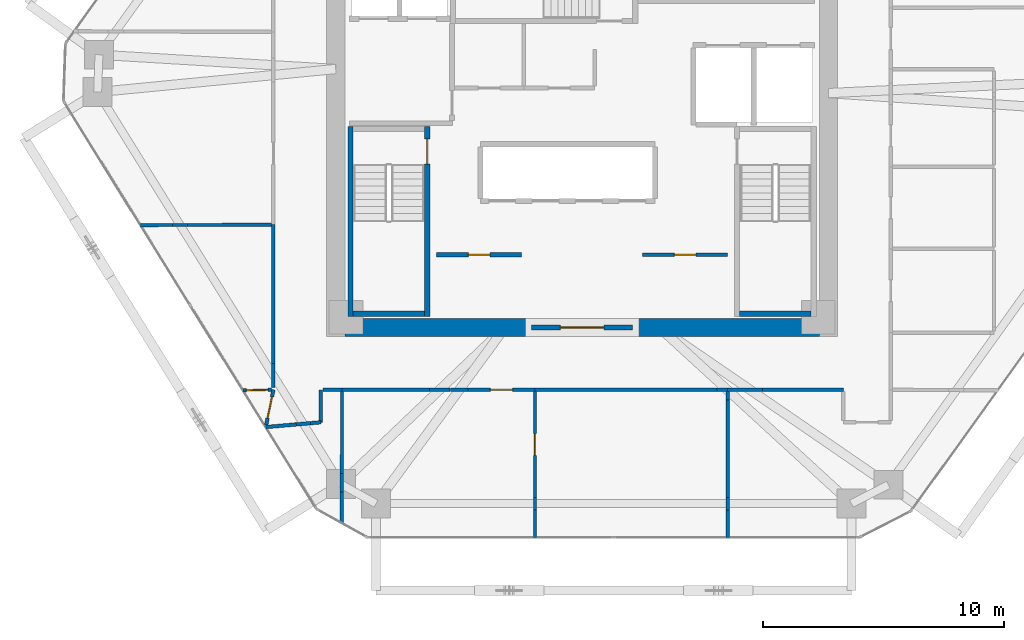
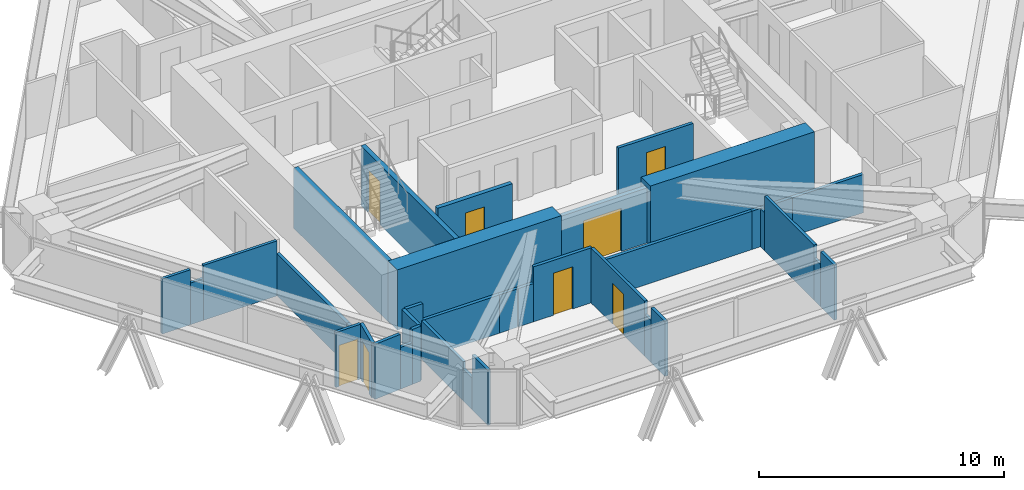
# One storey, part 12 of 17: 39 walls, 8 doors, 8 openings.
"""IFC4 building model written with IfcOpenShell, lengths in metres."""

from ifc_helpers import new_model, si_unit, direction, frame, frame_2d, origin, place, context, subcontext, project, spatial, rectangle, extrude, source, transform, mapped, material, layer, layer_set, type_object, type_shapes, element, fill, save


model = new_model("IFC4")

# Units and contexts
model_context = context("Model", 3, precision=1e-05, world=origin(), true_north=direction((0.0, 1.0)))
body_context = subcontext(model_context, "Body", "Model", "MODEL_VIEW")
ifc_project = project(units=[si_unit("LENGTHUNIT", "METRE"), si_unit("AREAUNIT", "SQUARE_METRE"), si_unit("VOLUMEUNIT", "CUBIC_METRE"), si_unit("PLANEANGLEUNIT", "RADIAN"), si_unit("MASSUNIT", "GRAM", prefix="KILO")], contexts=[model_context])

# Site, building, storey
site_placement = place(None, origin())
site = spatial("IfcSite", under=ifc_project, at=site_placement, CompositionType="ELEMENT")
building_placement = place(site_placement, origin())
building = spatial("IfcBuilding", under=site, at=building_placement, Name="Durnholm Broadcast Tower", CompositionType="ELEMENT")
storey_placement = place(building_placement, frame((0.0, 0.0, 143.10009765625)))
storey = spatial("IfcBuildingStorey", under=building, at=storey_placement, Name="L39", CompositionType="ELEMENT", Elevation=143.10009765625)

# Walls
ifc_material_1 = material(Name="Concrete C70/85", Category="concrete")
ifc_layer_1 = layer(ifc_material_1, 0.75)
ifc_layer_set_1 = layer_set([ifc_layer_1], Name="Concrete C70/85")
wall_type_1 = type_object("IfcWallType", Name="WALL-CW-750", PredefinedType="SHEAR", material=ifc_layer_set_1)
for number, where, z_axis, x_axis, name in (
    (1, (-9.85009765625, -8.22509765625, 0.0), (0.0, 0.0, 1.0), (1.0, 0.0, 0.0), "L39 central core shear wall CW-S1"),
    (2, (2.10009765625, -8.22509765625, 0.0), (0.0, 0.0, 1.0), (1.0, 0.0, 0.0), "L39 central core shear wall CW-S2"),
):
    element("IfcWall", number, at=place(storey_placement, frame(where, z_axis=z_axis, x_axis=x_axis)), inside=storey, type_object=wall_type_1, Name=name, PredefinedType="SHEAR", context=body_context, shape_type="SweptSolid", body=[
        extrude(rectangle(XDim=7.75, YDim=0.75, at=frame_2d((3.875, 0.0))), origin(), (0.0, 0.0, 1.0), 3.0),
    ])

# Wall, opening, door
ifc_material_2 = material(Name="Fire-Rated Gypsum Shaftwall", Category="concrete")
ifc_layer_2 = layer(ifc_material_2, 0.199951171875)
ifc_layer_set_2 = layer_set([ifc_layer_2], Name="Fire-Rated Gypsum Shaftwall")
wall_type_2 = type_object("IfcWallType", Name="WALL-LOB-200", PredefinedType="SOLIDWALL", material=ifc_layer_set_2)
wall_1_placement = place(storey_placement, frame((-2.10009765625, -8.22509765625, 0.0), z_axis=(0.0, 0.0, 1.0), x_axis=(1.0, 0.0, 0.0)))
wall_1 = element("IfcWall", 3, at=wall_1_placement, inside=storey, type_object=wall_type_2, Name="L39 south core lobby fire screen", PredefinedType="SOLIDWALL", context=body_context, shape_type="SweptSolid", body=[
    extrude(rectangle(XDim=4.2001953125, YDim=0.199951171875, at=frame_2d((2.10009765625, 0.0))), origin(), (0.0, 0.0, 1.0), 2.744873046875),
])
opening_1_placement = place(wall_1_placement, frame((1.199951171875, 0.0, 0.0)))
opening_1 = element("IfcOpeningElement", 4, at=opening_1_placement, cuts=wall_1, Name="Opening DP-60", PredefinedType="OPENING", context=body_context, shape_type="SweptSolid", body=[
    extrude(rectangle(XDim=1.800048828125, YDim=2.14990234375, at=frame_2d((0.89990234375, 1.074951171875))), frame((0.0, 0.10986328125, 0.0), z_axis=(0.0, -1.0, 0.0), x_axis=(1.0, 0.0, 0.0)), (0.0, 0.0, 1.0), 0.219970703125),
])
ifc_material_3 = material(Name="Fire-Rated Double Corridor Door", Category="steel")
ifc_layer_3 = layer(ifc_material_3, 0.050048828125)
ifc_layer_set_3 = layer_set([ifc_layer_3], Name="Fire-Rated Double Corridor Door")
door_type_1 = type_object("IfcDoorType", Name="DOOR-PAIR-FD60", OperationType="DOUBLE_DOOR_SINGLE_SWING", PredefinedType="DOOR", material=ifc_layer_set_3)
shared_shape_1 = source(origin(), body_context, "Body", "SweptSolid", [
    extrude(rectangle(XDim=1.800048828125, YDim=2.14990234375, at=frame_2d((0.89990234375, 1.074951171875))), frame((0.0, 0.02490234375, 0.0), z_axis=(0.0, -1.0, 0.0), x_axis=(1.0, 0.0, 0.0)), (0.0, 0.0, 1.0), 0.050048828125),
])
type_shapes(door_type_1, [shared_shape_1])
door_1_placement = place(opening_1_placement, origin())
door_1 = element("IfcDoor", 5, at=door_1_placement, inside=storey, type_object=door_type_1, Name="L39 south core lobby double fire door", OperationType="DOUBLE_DOOR_SINGLE_SWING", OverallHeight=2.14990234375, OverallWidth=1.800048828125, PredefinedType="DOOR", context=body_context, shape_type="MappedRepresentation", body=[
    mapped(shared_shape_1, transform((0.0, 0.0, 0.0), x_axis=(1.0, 0.0, 0.0), y_axis=(0.0, 1.0, 0.0), z_axis=(0.0, 0.0, 1.0), scale=1.0)),
])
fill(opening_1, door_1)

wall_2_placement = place(storey_placement, frame((-6.0400390625, -5.2099609375, 0.0), z_axis=(0.0, 0.0, 1.0), x_axis=(1.0, 0.0, 0.0)))
wall_2 = element("IfcWall", 6, at=wall_2_placement, inside=storey, type_object=wall_type_2, Name="L39 Broadcast Signal Rack Room corridor partition", PredefinedType="SOLIDWALL", context=body_context, shape_type="SweptSolid", body=[
    extrude(rectangle(XDim=3.530029296875, YDim=0.199951171875, at=frame_2d((1.76513671875, 0.0))), origin(), (0.0, 0.0, 1.0), 2.744873046875),
])
opening_2_placement = place(wall_2_placement, frame((1.31494140625, 0.0, 0.0)))
opening_2 = element("IfcOpeningElement", 7, at=opening_2_placement, cuts=wall_2, Name="Opening DC-60R", PredefinedType="OPENING", context=body_context, shape_type="SweptSolid", body=[
    extrude(rectangle(XDim=0.89990234375, YDim=2.050048828125, at=frame_2d((0.449951171875, 1.02490234375))), frame((0.0, 0.10986328125, 0.0), z_axis=(0.0, -1.0, 0.0), x_axis=(1.0, 0.0, 0.0)), (0.0, 0.0, 1.0), 0.219970703125),
])
ifc_material_4 = material(Name="Fire-Rated Core Service Door", Category="steel")
ifc_layer_4 = layer(ifc_material_4, 0.050048828125)
ifc_layer_set_4 = layer_set([ifc_layer_4], Name="Fire-Rated Core Service Door")
door_type_2 = type_object("IfcDoorType", Name="DOOR-CORE-FD60-R", OperationType="NOTDEFINED", PredefinedType="DOOR", material=ifc_layer_set_4)
shared_shape_2 = source(origin(), body_context, "Body", "SweptSolid", [
    extrude(rectangle(XDim=0.89990234375, YDim=2.050048828125, at=frame_2d((0.449951171875, 1.02490234375))), frame((0.0, 0.02490234375, 0.0), z_axis=(0.0, -1.0, 0.0), x_axis=(1.0, 0.0, 0.0)), (0.0, 0.0, 1.0), 0.050048828125),
])
type_shapes(door_type_2, [shared_shape_2])
door_2_placement = place(opening_2_placement, origin())
door_2 = element("IfcDoor", 8, at=door_2_placement, inside=storey, type_object=door_type_2, Name="L39 Broadcast Signal Rack Room entrance door", OperationType="SINGLE_SWING_RIGHT", OverallHeight=2.050048828125, OverallWidth=0.89990234375, PredefinedType="DOOR", context=body_context, shape_type="MappedRepresentation", body=[
    mapped(shared_shape_2, transform((0.0, 0.0, 0.0), x_axis=(1.0, 0.0, 0.0), y_axis=(0.0, 1.0, 0.0), z_axis=(0.0, 0.0, 1.0), scale=1.0)),
])
fill(opening_2, door_2)

# Walls
ifc_material_5 = material(Name="Gypsum Metal Stud Partition", Category="concrete")
ifc_layer_5 = layer(ifc_material_5, 0.135009765625)
ifc_layer_set_5 = layer_set([ifc_layer_5], Name="Gypsum Metal Stud Partition")
wall_type_3 = type_object("IfcWallType", Name="WALL-PART-135", PredefinedType="PARTITIONING", material=ifc_layer_set_5)
wall_3_placement = place(storey_placement, frame((-9.960205078125, -10.888916015625, 0.0), z_axis=(0.0, 0.0, 1.0), x_axis=(-0.003528457908, -0.999993774973, 0.0)))
element("IfcWall", 9, at=wall_3_placement, inside=storey, type_object=wall_type_3, Name="L39 room dividing partition 12.13", PredefinedType="PARTITIONING", context=body_context, shape_type="SweptSolid", body=[
    extrude(rectangle(XDim=3.390380859375, YDim=0.135009765625, at=frame_2d((1.6953125, 0.0))), origin(), (0.0, 0.0, 1.0), 1.912109375),
])
wall_4_placement = place(storey_placement, frame((-9.974853515625, -15.0478515625, 0.0), z_axis=(0.0, 0.0, 1.0), x_axis=(-0.003576784349, -0.999993603286, 0.0)))
element("IfcWall", 10, at=wall_4_placement, inside=storey, type_object=wall_type_3, Name="L39 room dividing partition 12.13", PredefinedType="PARTITIONING", context=body_context, shape_type="SweptSolid", body=[
    extrude(rectangle(XDim=1.296875, YDim=0.135009765625, at=frame_2d((0.6484375, 0.0))), origin(), (0.0, 0.0, 1.0), 2.744873046875),
])
wall_5_placement = place(storey_placement, frame((-9.97216796875, -14.279296875, 0.0), z_axis=(0.0, 0.0, 1.0), x_axis=(-0.003494260751, -0.999993895052, 0.0)))
element("IfcWall", 11, at=wall_5_placement, inside=storey, type_object=wall_type_3, Name="L39 room dividing partition 12.13", PredefinedType="PARTITIONING", context=body_context, shape_type="SweptSolid", body=[
    extrude(rectangle(XDim=0.7685546875, YDim=0.135009765625, at=frame_2d((0.38427734375, 0.0))), origin(), (0.0, 0.0, 1.0), 1.576904296875),
])

# Wall, opening, door
wall_6_placement = place(storey_placement, frame((-14.075927734375, -10.8310546875, 0.0), z_axis=(0.0, 0.0, 1.0), x_axis=(0.999860796611, 0.016684945308, 0.0)))
wall_6 = element("IfcWall", 12, at=wall_6_placement, inside=storey, type_object=wall_type_3, Name="L39 room dividing partition 12.16", PredefinedType="PARTITIONING", context=body_context, shape_type="SweptSolid", body=[
    extrude(rectangle(XDim=1.185302734375, YDim=0.135009765625, at=frame_2d((0.5927734375, 0.0))), origin(), (0.0, 0.0, 1.0), 2.744873046875),
])
opening_3_placement = place(wall_6_placement, frame((0.142578125, 0.0, 0.0)))
opening_3 = element("IfcOpeningElement", 13, at=opening_3_placement, cuts=wall_6, Name="Opening DW-90L", PredefinedType="OPENING", context=body_context, shape_type="SweptSolid", body=[
    extrude(rectangle(XDim=0.89990234375, YDim=2.050048828125, at=frame_2d((0.449951171875, 1.02490234375))), frame((0.0, 0.07763671875, 0.0), z_axis=(0.0, -1.0, 0.0), x_axis=(1.0, 0.0, 0.0)), (0.0, 0.0, 1.0), 0.155029296875),
])
ifc_material_6 = material(Name="Laminate Restroom Door", Category="steel")
ifc_layer_6 = layer(ifc_material_6, 0.050048828125)
ifc_layer_set_6 = layer_set([ifc_layer_6], Name="Laminate Restroom Door")
door_type_3 = type_object("IfcDoorType", Name="DOOR-WC-900L", OperationType="NOTDEFINED", PredefinedType="DOOR", material=ifc_layer_set_6)
shared_shape_3 = source(origin(), body_context, "Body", "SweptSolid", [
    extrude(rectangle(XDim=0.89990234375, YDim=2.050048828125, at=frame_2d((0.449951171875, 1.02490234375))), frame((0.0, 0.02490234375, 0.0), z_axis=(0.0, -1.0, 0.0), x_axis=(1.0, 0.0, 0.0)), (0.0, 0.0, 1.0), 0.050048828125),
])
type_shapes(door_type_3, [shared_shape_3])
door_3_placement = place(opening_3_placement, origin())
door_3 = element("IfcDoor", 14, at=door_3_placement, inside=storey, type_object=door_type_3, Name="L39 Compliance Office 1 connecting door", OperationType="SINGLE_SWING_LEFT", OverallHeight=2.050048828125, OverallWidth=0.89990234375, PredefinedType="DOOR", context=body_context, shape_type="MappedRepresentation", body=[
    mapped(shared_shape_3, transform((0.0, 0.0, 0.0), x_axis=(1.0, 0.0, 0.0), y_axis=(0.0, 1.0, 0.0), z_axis=(0.0, 0.0, 1.0), scale=1.0)),
])
fill(opening_3, door_3)

wall_7_placement = place(storey_placement, frame((-1.9599609375, -10.888916015625, 0.0), z_axis=(0.0, 0.0, 1.0), x_axis=(0.0, -1.0, 0.0)))
wall_7 = element("IfcWall", 15, at=wall_7_placement, inside=storey, type_object=wall_type_3, Name="L39 room dividing partition 13.14", PredefinedType="PARTITIONING", context=body_context, shape_type="SweptSolid", body=[
    extrude(rectangle(XDim=4.383544921875, YDim=0.135009765625, at=frame_2d((2.19189453125, 0.0))), origin(), (0.0, 0.0, 1.0), 2.744873046875),
])
opening_4_placement = place(wall_7_placement, frame((1.74169921875, 0.0, 0.0)))
opening_4 = element("IfcOpeningElement", 16, at=opening_4_placement, cuts=wall_7, Name="Opening DW-90L", PredefinedType="OPENING", context=body_context, shape_type="SweptSolid", body=[
    extrude(rectangle(XDim=0.89990234375, YDim=2.050048828125, at=frame_2d((0.449951171875, 1.02490234375))), frame((0.0, 0.07763671875, 0.0), z_axis=(0.0, -1.0, 0.0), x_axis=(1.0, 0.0, 0.0)), (0.0, 0.0, 1.0), 0.155029296875),
])
door_4_placement = place(opening_4_placement, origin())
door_4 = element("IfcDoor", 17, at=door_4_placement, inside=storey, type_object=door_type_3, Name="L39 Regulatory Office connecting door", OperationType="SINGLE_SWING_LEFT", OverallHeight=2.050048828125, OverallWidth=0.89990234375, PredefinedType="DOOR", context=body_context, shape_type="MappedRepresentation", body=[
    mapped(shared_shape_3, transform((0.0, 0.0, 0.0), x_axis=(1.0, 0.0, 0.0), y_axis=(0.0, 1.0, 0.0), z_axis=(0.0, 0.0, 1.0), scale=1.0)),
])
fill(opening_4, door_4)

# Walls
wall_8_placement = place(storey_placement, frame((-1.9599609375, -15.801513671875, 0.0), z_axis=(0.0, 0.0, 1.0), x_axis=(0.0, -1.0, 0.0)))
element("IfcWall", 18, at=wall_8_placement, inside=storey, type_object=wall_type_3, Name="L39 room dividing partition 13.14", PredefinedType="PARTITIONING", context=body_context, shape_type="SweptSolid", body=[
    extrude(rectangle(XDim=1.135498046875, YDim=0.135009765625, at=frame_2d((0.56787109375, 0.0))), origin(), (0.0, 0.0, 1.0), 2.744873046875),
])
wall_9_placement = place(storey_placement, frame((-1.9599609375, -15.2724609375, 0.0), z_axis=(0.0, 0.0, 1.0), x_axis=(0.0, -1.0, 0.0)))
element("IfcWall", 19, at=wall_9_placement, inside=storey, type_object=wall_type_3, Name="L39 room dividing partition 13.14", PredefinedType="PARTITIONING", context=body_context, shape_type="SweptSolid", body=[
    extrude(rectangle(XDim=0.529052734375, YDim=0.135009765625, at=frame_2d((0.2646484375, 0.0))), origin(), (0.0, 0.0, 1.0), 2.079833984375),
])
wall_10_placement = place(storey_placement, frame((6.0400390625, -11.225341796875, 0.0), z_axis=(0.0, 0.0, 1.0), x_axis=(0.0, -1.0, 0.0)))
element("IfcWall", 20, at=wall_10_placement, inside=storey, type_object=wall_type_3, Name="L39 room dividing partition 14.15", PredefinedType="PARTITIONING", context=body_context, shape_type="SweptSolid", body=[
    extrude(rectangle(XDim=4.047119140625, YDim=0.135009765625, at=frame_2d((2.0234375, 0.0))), origin(), (0.0, 0.0, 1.0), 2.744873046875),
])
wall_11_placement = place(storey_placement, frame((6.0400390625, -15.801513671875, 0.0), z_axis=(0.0, 0.0, 1.0), x_axis=(0.0, -1.0, 0.0)))
element("IfcWall", 21, at=wall_11_placement, inside=storey, type_object=wall_type_3, Name="L39 room dividing partition 14.15", PredefinedType="PARTITIONING", context=body_context, shape_type="SweptSolid", body=[
    extrude(rectangle(XDim=1.135498046875, YDim=0.135009765625, at=frame_2d((0.56787109375, 0.0))), origin(), (0.0, 0.0, 1.0), 2.744873046875),
])
wall_12_placement = place(storey_placement, frame((6.0400390625, -10.888916015625, 0.0), z_axis=(0.0, 0.0, 1.0), x_axis=(0.0, -1.0, 0.0)))
element("IfcWall", 22, at=wall_12_placement, inside=storey, type_object=wall_type_3, Name="L39 room dividing partition 14.15", PredefinedType="PARTITIONING", context=body_context, shape_type="SweptSolid", body=[
    extrude(rectangle(XDim=0.33642578125, YDim=0.135009765625, at=frame_2d((0.168212890625, 0.0))), origin(), (0.0, 0.0, 1.0), 1.912109375),
])
wall_13_placement = place(storey_placement, frame((6.0400390625, -15.2724609375, 0.0), z_axis=(0.0, 0.0, 1.0), x_axis=(0.0, -1.0, 0.0)))
element("IfcWall", 23, at=wall_13_placement, inside=storey, type_object=wall_type_3, Name="L39 room dividing partition 14.15", PredefinedType="PARTITIONING", context=body_context, shape_type="SweptSolid", body=[
    extrude(rectangle(XDim=0.529052734375, YDim=0.135009765625, at=frame_2d((0.2646484375, 0.0))), origin(), (0.0, 0.0, 1.0), 2.079833984375),
])
wall_14_placement = place(storey_placement, frame((-18.32470703125, -3.981201171875, 0.0), z_axis=(0.0, 0.0, 1.0), x_axis=(0.999992603632, 0.003846125399, 0.0)))
element("IfcWall", 24, at=wall_14_placement, inside=storey, type_object=wall_type_3, Name="L39 room dividing partition 16.17", PredefinedType="PARTITIONING", context=body_context, shape_type="SweptSolid", body=[
    extrude(rectangle(XDim=1.3330078125, YDim=0.135009765625, at=frame_2d((0.66650390625, 0.0))), origin(), (0.0, 0.0, 1.0), 2.744873046875),
])
wall_15_placement = place(storey_placement, frame((-16.37060546875, -3.9736328125, 0.0), z_axis=(0.0, 0.0, 1.0), x_axis=(0.999992563123, 0.003856643361, 0.0)))
element("IfcWall", 25, at=wall_15_placement, inside=storey, type_object=wall_type_3, Name="L39 room dividing partition 16.17", PredefinedType="PARTITIONING", context=body_context, shape_type="SweptSolid", body=[
    extrude(rectangle(XDim=3.481689453125, YDim=0.135009765625, at=frame_2d((1.74072265625, 0.0))), origin(), (0.0, 0.0, 1.0), 2.744873046875),
])
wall_16_placement = place(storey_placement, frame((-16.99169921875, -3.97607421875, 0.0), z_axis=(0.0, 0.0, 1.0), x_axis=(0.999992274426, 0.003930787242, 0.0)))
element("IfcWall", 26, at=wall_16_placement, inside=storey, type_object=wall_type_3, Name="L39 room dividing partition 16.17", PredefinedType="PARTITIONING", context=body_context, shape_type="SweptSolid", body=[
    extrude(rectangle(XDim=0.62109375, YDim=0.135009765625, at=frame_2d((0.310546875, 0.0))), origin(), (0.0, 0.0, 1.0), 2.079833984375),
])

# Wall, opening, door
ifc_material_7 = material(Name="Acoustic Gypsum Stud Partition", Category="concrete")
ifc_layer_7 = layer(ifc_material_7, 0.14990234375)
ifc_layer_set_7 = layer_set([ifc_layer_7], Name="Acoustic Gypsum Stud Partition")
wall_type_4 = type_object("IfcWallType", Name="WALL-PART-150", PredefinedType="PARTITIONING", material=ifc_layer_set_7)
wall_17_placement = place(storey_placement, frame((2.510009765625, -5.2099609375, 0.0), z_axis=(0.0, 0.0, 1.0), x_axis=(1.0, 0.0, 0.0)))
wall_17 = element("IfcWall", 27, at=wall_17_placement, inside=storey, type_object=wall_type_4, Name="L39 Editorial Beverage Pantry corridor partition", PredefinedType="PARTITIONING", context=body_context, shape_type="SweptSolid", body=[
    extrude(rectangle(XDim=3.530029296875, YDim=0.14990234375, at=frame_2d((1.76513671875, 0.0))), origin(), (0.0, 0.0, 1.0), 2.744873046875),
])
opening_5_placement = place(wall_17_placement, frame((1.31494140625, 0.0, 0.0)))
opening_5 = element("IfcOpeningElement", 28, at=opening_5_placement, cuts=wall_17, Name="Opening DC-60L", PredefinedType="OPENING", context=body_context, shape_type="SweptSolid", body=[
    extrude(rectangle(XDim=0.89990234375, YDim=2.050048828125, at=frame_2d((0.449951171875, 1.02490234375))), frame((0.0, 0.0849609375, 0.0), z_axis=(0.0, -1.0, 0.0), x_axis=(1.0, 0.0, 0.0)), (0.0, 0.0, 1.0), 0.169921875),
])
ifc_layer_8 = layer(ifc_material_4, 0.050048828125)
ifc_layer_set_8 = layer_set([ifc_layer_8], Name="Fire-Rated Core Service Door")
door_type_4 = type_object("IfcDoorType", Name="DOOR-CORE-FD60-L", OperationType="NOTDEFINED", PredefinedType="DOOR", material=ifc_layer_set_8)
shared_shape_4 = source(origin(), body_context, "Body", "SweptSolid", [
    extrude(rectangle(XDim=0.89990234375, YDim=2.050048828125, at=frame_2d((0.449951171875, 1.02490234375))), frame((0.0, 0.02490234375, 0.0), z_axis=(0.0, -1.0, 0.0), x_axis=(1.0, 0.0, 0.0)), (0.0, 0.0, 1.0), 0.050048828125),
])
type_shapes(door_type_4, [shared_shape_4])
door_5_placement = place(opening_5_placement, origin())
door_5 = element("IfcDoor", 29, at=door_5_placement, inside=storey, type_object=door_type_4, Name="L39 Editorial Beverage Pantry entrance door", OperationType="SINGLE_SWING_LEFT", OverallHeight=2.050048828125, OverallWidth=0.89990234375, PredefinedType="DOOR", context=body_context, shape_type="MappedRepresentation", body=[
    mapped(shared_shape_4, transform((0.0, 0.0, 0.0), x_axis=(1.0, 0.0, 0.0), y_axis=(0.0, 1.0, 0.0), z_axis=(0.0, 0.0, 1.0), scale=1.0)),
])
fill(opening_5, door_5)

# Walls
wall_18_placement = place(storey_placement, frame((-13.12890625, -12.35791015625, 0.0), z_axis=(0.0, 0.0, 1.0), x_axis=(0.996285787619, 0.086108242279, 0.0)))
element("IfcWall", 30, at=wall_18_placement, inside=storey, type_object=wall_type_4, Name="L39 IP Counsel Office corridor partition", PredefinedType="PARTITIONING", context=body_context, shape_type="SweptSolid", body=[
    extrude(rectangle(XDim=1.27294921875, YDim=0.14990234375, at=frame_2d((0.636474609375, 0.0))), origin(), (0.0, 0.0, 1.0), 2.744873046875),
])
wall_19_placement = place(storey_placement, frame((-11.269775390625, -12.197021484375, 0.0), z_axis=(0.0, 0.0, 1.0), x_axis=(0.996291394281, 0.086043347688, 0.0)))
element("IfcWall", 31, at=wall_19_placement, inside=storey, type_object=wall_type_4, Name="L39 IP Counsel Office corridor partition", PredefinedType="PARTITIONING", context=body_context, shape_type="SweptSolid", body=[
    extrude(rectangle(XDim=0.431396484375, YDim=0.14990234375, at=frame_2d((0.2158203125, 0.0))), origin(), (0.0, 0.0, 1.0), 2.744873046875),
])
wall_20_placement = place(storey_placement, frame((-11.860595703125, -12.248291015625, 0.0), z_axis=(0.0, 0.0, 1.0), x_axis=(0.996256019863, 0.086451968666, 0.0)))
element("IfcWall", 32, at=wall_20_placement, inside=storey, type_object=wall_type_4, Name="L39 IP Counsel Office corridor partition", PredefinedType="PARTITIONING", context=body_context, shape_type="SweptSolid", body=[
    extrude(rectangle(XDim=0.593017578125, YDim=0.14990234375, at=frame_2d((0.29638671875, 0.0))), origin(), (0.0, 0.0, 1.0), 2.079833984375),
])

# Wall, opening, door
wall_21_placement = place(storey_placement, frame((-12.81005859375, -10.81005859375, 0.0), z_axis=(0.0, 0.0, 1.0), x_axis=(-0.201786289638, -0.979429575474, 0.0)))
wall_21 = element("IfcWall", 33, at=wall_21_placement, inside=storey, type_object=wall_type_4, Name="L39 IP Counsel Office corridor partition", PredefinedType="PARTITIONING", context=body_context, shape_type="SweptSolid", body=[
    extrude(rectangle(XDim=1.497802734375, YDim=0.14990234375, at=frame_2d((0.7490234375, 0.0))), origin(), (0.0, 0.0, 1.0), 2.744873046875),
])
opening_6_placement = place(wall_21_placement, frame((0.299072265625, 0.0, 0.0)))
opening_6 = element("IfcOpeningElement", 34, at=opening_6_placement, cuts=wall_21, Name="Opening DW-90L", PredefinedType="OPENING", context=body_context, shape_type="SweptSolid", body=[
    extrude(rectangle(XDim=0.89990234375, YDim=2.050048828125, at=frame_2d((0.449951171875, 1.02490234375))), frame((0.0, 0.0849609375, 0.0), z_axis=(0.0, -1.0, 0.0), x_axis=(1.0, 0.0, 0.0)), (0.0, 0.0, 1.0), 0.169921875),
])
door_6_placement = place(opening_6_placement, origin())
door_6 = element("IfcDoor", 35, at=door_6_placement, inside=storey, type_object=door_type_3, Name="L39 IP Counsel Office entrance door", OperationType="SINGLE_SWING_LEFT", OverallHeight=2.050048828125, OverallWidth=0.89990234375, PredefinedType="DOOR", context=body_context, shape_type="MappedRepresentation", body=[
    mapped(shared_shape_3, transform((0.0, 0.0, 0.0), x_axis=(1.0, 0.0, 0.0), y_axis=(0.0, 1.0, 0.0), z_axis=(0.0, 0.0, 1.0), scale=1.0)),
])
fill(opening_6, door_6)

# Walls
wall_22_placement = place(storey_placement, frame((-10.840087890625, -12.159912109375, 0.0), z_axis=(0.0, 0.0, 1.0), x_axis=(0.0, 1.0, 0.0)))
element("IfcWall", 36, at=wall_22_placement, inside=storey, type_object=wall_type_4, Name="L39 IP Counsel Office corridor partition", PredefinedType="PARTITIONING", context=body_context, shape_type="SweptSolid", body=[
    extrude(rectangle(XDim=1.349853515625, YDim=0.14990234375, at=frame_2d((0.6748046875, 0.0))), origin(), (0.0, 0.0, 1.0), 2.744873046875),
])
wall_23_placement = place(storey_placement, frame((-10.760986328125, -10.81005859375, 0.0), z_axis=(0.0, 0.0, 1.0), x_axis=(1.0, 0.0, 0.0)))
element("IfcWall", 37, at=wall_23_placement, inside=storey, type_object=wall_type_4, Name="L39 IP Counsel Office corridor partition", PredefinedType="PARTITIONING", context=body_context, shape_type="SweptSolid", body=[
    extrude(rectangle(XDim=0.801025390625, YDim=0.14990234375, at=frame_2d((0.400390625, 0.0))), origin(), (0.0, 0.0, 1.0), 2.744873046875),
])
wall_24_placement = place(storey_placement, frame((-9.9599609375, -10.81005859375, 0.0), z_axis=(0.0, 0.0, 1.0), x_axis=(1.0, 0.0, 0.0)))
element("IfcWall", 38, at=wall_24_placement, inside=storey, type_object=wall_type_4, Name="L39 Deposition Meeting Room corridor partition", PredefinedType="PARTITIONING", context=body_context, shape_type="SweptSolid", body=[
    extrude(rectangle(XDim=3.62548828125, YDim=0.14990234375, at=frame_2d((1.812744140625, 0.0))), origin(), (0.0, 0.0, 1.0), 1.912109375),
])

# Wall, opening, door
wall_25_placement = place(storey_placement, frame((-4.7294921875, -10.81005859375, 0.0), z_axis=(0.0, 0.0, 1.0), x_axis=(1.0, 0.0, 0.0)))
wall_25 = element("IfcWall", 39, at=wall_25_placement, inside=storey, type_object=wall_type_4, Name="L39 Deposition Meeting Room corridor partition", PredefinedType="PARTITIONING", context=body_context, shape_type="SweptSolid", body=[
    extrude(rectangle(XDim=2.76953125, YDim=0.14990234375, at=frame_2d((1.384765625, 0.0))), origin(), (0.0, 0.0, 1.0), 2.744873046875),
])
opening_7_placement = place(wall_25_placement, frame((0.9248046875, 0.0, 0.0)))
opening_7 = element("IfcOpeningElement", 40, at=opening_7_placement, cuts=wall_25, Name="Opening DR-92R", PredefinedType="OPENING", context=body_context, shape_type="SweptSolid", body=[
    extrude(rectangle(XDim=0.919921875, YDim=2.10009765625, at=frame_2d((0.4599609375, 1.050048828125))), frame((0.0, 0.0849609375, 0.0), z_axis=(0.0, -1.0, 0.0), x_axis=(1.0, 0.0, 0.0)), (0.0, 0.0, 1.0), 0.169921875),
])
ifc_material_8 = material(Name="Oak Veneer Office Door", Category="wood")
ifc_layer_9 = layer(ifc_material_8, 0.050048828125)
ifc_layer_set_9 = layer_set([ifc_layer_9], Name="Oak Veneer Office Door")
door_type_5 = type_object("IfcDoorType", Name="DOOR-RM-920R", OperationType="NOTDEFINED", PredefinedType="DOOR", material=ifc_layer_set_9)
shared_shape_5 = source(origin(), body_context, "Body", "SweptSolid", [
    extrude(rectangle(XDim=0.919921875, YDim=2.10009765625, at=frame_2d((0.4599609375, 1.050048828125))), frame((0.0, 0.02490234375, 0.0), z_axis=(0.0, -1.0, 0.0), x_axis=(1.0, 0.0, 0.0)), (0.0, 0.0, 1.0), 0.050048828125),
])
type_shapes(door_type_5, [shared_shape_5])
door_7_placement = place(opening_7_placement, origin())
door_7 = element("IfcDoor", 41, at=door_7_placement, inside=storey, type_object=door_type_5, Name="L39 Deposition Meeting Room entrance door", OperationType="SINGLE_SWING_RIGHT", OverallHeight=2.10009765625, OverallWidth=0.919921875, PredefinedType="DOOR", context=body_context, shape_type="MappedRepresentation", body=[
    mapped(shared_shape_5, transform((0.0, 0.0, 0.0), x_axis=(1.0, 0.0, 0.0), y_axis=(0.0, 1.0, 0.0), z_axis=(0.0, 0.0, 1.0), scale=1.0)),
])
fill(opening_7, door_7)

# Walls
wall_26_placement = place(storey_placement, frame((-6.33447265625, -10.81005859375, 0.0), z_axis=(0.0, 0.0, 1.0), x_axis=(1.0, 0.0, 0.0)))
element("IfcWall", 42, at=wall_26_placement, inside=storey, type_object=wall_type_4, Name="L39 Deposition Meeting Room corridor partition", PredefinedType="PARTITIONING", context=body_context, shape_type="SweptSolid", body=[
    extrude(rectangle(XDim=0.84765625, YDim=0.14990234375, at=frame_2d((0.423828125, 0.0))), origin(), (0.0, 0.0, 1.0), 1.912109375),
])
wall_27_placement = place(storey_placement, frame((-5.45458984375, -10.81005859375, 0.0), z_axis=(0.0, 0.0, 1.0), x_axis=(1.0, 0.0, 0.0)))
element("IfcWall", 43, at=wall_27_placement, inside=storey, type_object=wall_type_4, Name="L39 Deposition Meeting Room corridor partition", PredefinedType="PARTITIONING", context=body_context, shape_type="SweptSolid", body=[
    extrude(rectangle(XDim=0.72509765625, YDim=0.14990234375, at=frame_2d((0.362548828125, 0.0))), origin(), (0.0, 0.0, 1.0), 1.912109375),
])
wall_28_placement = place(storey_placement, frame((-1.9599609375, -10.81005859375, 0.0), z_axis=(0.0, 0.0, 1.0), x_axis=(1.0, 0.0, 0.0)))
element("IfcWall", 44, at=wall_28_placement, inside=storey, type_object=wall_type_4, Name="L39 Regulatory Office corridor partition", PredefinedType="PARTITIONING", context=body_context, shape_type="SweptSolid", body=[
    extrude(rectangle(XDim=7.546875, YDim=0.14990234375, at=frame_2d((3.7734375, 0.0))), origin(), (0.0, 0.0, 1.0), 1.912109375),
])
wall_29_placement = place(storey_placement, frame((5.5869140625, -10.81005859375, 0.0), z_axis=(0.0, 0.0, 1.0), x_axis=(1.0, 0.0, 0.0)))
element("IfcWall", 45, at=wall_29_placement, inside=storey, type_object=wall_type_4, Name="L39 Regulatory Office corridor partition", PredefinedType="PARTITIONING", context=body_context, shape_type="SweptSolid", body=[
    extrude(rectangle(XDim=0.453125, YDim=0.14990234375, at=frame_2d((0.2265625, 0.0))), origin(), (0.0, 0.0, 1.0), 1.912109375),
])
wall_30_placement = place(storey_placement, frame((7.484130859375, -10.81005859375, 0.0), z_axis=(0.0, 0.0, 1.0), x_axis=(1.0, 0.0, 0.0)))
element("IfcWall", 46, at=wall_30_placement, inside=storey, type_object=wall_type_4, Name="L39 Open Plan Broadcast Workspace 3 corridor partition", PredefinedType="PARTITIONING", context=body_context, shape_type="SweptSolid", body=[
    extrude(rectangle(XDim=3.35595703125, YDim=0.14990234375, at=frame_2d((1.677978515625, 0.0))), origin(), (0.0, 0.0, 1.0), 1.912109375),
])
wall_31_placement = place(storey_placement, frame((6.0400390625, -10.81005859375, 0.0), z_axis=(0.0, 0.0, 1.0), x_axis=(1.0, 0.0, 0.0)))
element("IfcWall", 47, at=wall_31_placement, inside=storey, type_object=wall_type_4, Name="L39 Open Plan Broadcast Workspace 3 corridor partition", PredefinedType="PARTITIONING", context=body_context, shape_type="SweptSolid", body=[
    extrude(rectangle(XDim=1.444091796875, YDim=0.14990234375, at=frame_2d((0.72216796875, 0.0))), origin(), (0.0, 0.0, 1.0), 1.912109375),
])
wall_32_placement = place(storey_placement, frame((-12.81005859375, -3.9599609375, 0.0), z_axis=(0.0, 0.0, 1.0), x_axis=(0.0, -1.0, 0.0)))
element("IfcWall", 48, at=wall_32_placement, inside=storey, type_object=wall_type_4, Name="L39 Compliance Office 1 corridor partition", PredefinedType="PARTITIONING", context=body_context, shape_type="SweptSolid", body=[
    extrude(rectangle(XDim=5.754150390625, YDim=0.14990234375, at=frame_2d((2.876953125, 0.0))), origin(), (0.0, 0.0, 1.0), 2.079833984375),
])
wall_33_placement = place(storey_placement, frame((-12.81005859375, -9.714111328125, 0.0), z_axis=(0.0, 0.0, 1.0), x_axis=(0.0, -1.0, 0.0)))
element("IfcWall", 49, at=wall_33_placement, inside=storey, type_object=wall_type_4, Name="L39 Compliance Office 1 corridor partition", PredefinedType="PARTITIONING", context=body_context, shape_type="SweptSolid", body=[
    extrude(rectangle(XDim=1.003662109375, YDim=0.14990234375, at=frame_2d((0.501953125, 0.0))), origin(), (0.0, 0.0, 1.0), 2.079833984375),
])

# Wall, opening, door
ifc_material_9 = material(Name="Concrete C50/60", Category="concrete")
ifc_layer_10 = layer(ifc_material_9, 0.219970703125)
ifc_layer_set_10 = layer_set([ifc_layer_10], Name="Concrete C50/60")
wall_type_5 = type_object("IfcWallType", Name="WALL-SW-220", PredefinedType="SHEAR", material=ifc_layer_set_10)
wall_34_placement = place(storey_placement, frame((-6.429931640625, -7.77001953125, -0.239990234375), z_axis=(0.0, 0.0, 1.0), x_axis=(0.0, 1.0, 0.0)))
wall_34 = element("IfcWall", 50, at=wall_34_placement, inside=storey, type_object=wall_type_5, Name="L39 stair ST-1 structural shaft wall E", PredefinedType="SHEAR", context=body_context, shape_type="SweptSolid", body=[
    extrude(rectangle(XDim=7.89013671875, YDim=0.219970703125, at=frame_2d((3.945068359375, 0.0))), origin(), (0.0, 0.0, 1.0), 3.0),
])
opening_8_placement = place(wall_34_placement, frame((6.320068359375, 0.0, 0.0)))
opening_8 = element("IfcOpeningElement", 51, at=opening_8_placement, cuts=wall_34, Name="Opening DS-90L", PredefinedType="OPENING", context=body_context, shape_type="SweptSolid", body=[
    extrude(rectangle(XDim=1.050048828125, YDim=2.14990234375, at=frame_2d((0.52490234375, 1.074951171875))), frame((0.0, 0.1201171875, 0.0), z_axis=(0.0, -1.0, 0.0), x_axis=(1.0, 0.0, 0.0)), (0.0, 0.0, 1.0), 0.239990234375),
])
ifc_material_10 = material(Name="Fire-Rated Steel Door", Category="steel")
ifc_layer_11 = layer(ifc_material_10, 0.050048828125)
ifc_layer_set_11 = layer_set([ifc_layer_11], Name="Fire-Rated Steel Door")
door_type_6 = type_object("IfcDoorType", Name="DOOR-ST-FD90-L", OperationType="NOTDEFINED", PredefinedType="DOOR", material=ifc_layer_set_11)
shared_shape_6 = source(origin(), body_context, "Body", "SweptSolid", [
    extrude(rectangle(XDim=1.050048828125, YDim=2.14990234375, at=frame_2d((0.52490234375, 1.074951171875))), frame((0.0, 0.02490234375, 0.0), z_axis=(0.0, -1.0, 0.0), x_axis=(1.0, 0.0, 0.0)), (0.0, 0.0, 1.0), 0.050048828125),
])
type_shapes(door_type_6, [shared_shape_6])
door_8_placement = place(opening_8_placement, origin())
door_8 = element("IfcDoor", 52, at=door_8_placement, inside=storey, type_object=door_type_6, Name="L39 exit stair ST-1 fire door", OperationType="SINGLE_SWING_LEFT", OverallHeight=2.14990234375, OverallWidth=1.050048828125, PredefinedType="DOOR", context=body_context, shape_type="MappedRepresentation", body=[
    mapped(shared_shape_6, transform((0.0, 0.0, 0.0), x_axis=(1.0, 0.0, 0.0), y_axis=(0.0, 1.0, 0.0), z_axis=(0.0, 0.0, 1.0), scale=1.0)),
])
fill(opening_8, door_8)

# Walls
wall_35_placement = place(storey_placement, frame((-9.610107421875, 0.1201171875, -0.239990234375), z_axis=(0.0, 0.0, 1.0), x_axis=(0.0, -1.0, 0.0)))
element("IfcWall", 53, at=wall_35_placement, inside=storey, type_object=wall_type_5, Name="L39 stair ST-1 structural shaft wall W", PredefinedType="SHEAR", context=body_context, shape_type="SweptSolid", body=[
    extrude(rectangle(XDim=7.89013671875, YDim=0.219970703125, at=frame_2d((3.945068359375, 0.0))), origin(), (0.0, 0.0, 1.0), 3.0),
])
for number, where, z_axis, x_axis, name in (
    (54, (-9.5, -7.659912109375, -0.239990234375), (0.0, 0.0, 1.0), (1.0, 0.0, 0.0), "L39 stair ST-1 structural shaft wall S"),
    (55, (6.5400390625, -7.659912109375, -0.239990234375), (0.0, 0.0, 1.0), (1.0, 0.0, 0.0), "L39 stair ST-2 structural shaft wall S"),
):
    element("IfcWall", number, at=place(storey_placement, frame(where, z_axis=z_axis, x_axis=x_axis)), inside=storey, type_object=wall_type_5, Name=name, PredefinedType="SHEAR", context=body_context, shape_type="SweptSolid", body=[
        extrude(rectangle(XDim=2.9599609375, YDim=0.219970703125, at=frame_2d((1.47998046875, 0.0))), origin(), (0.0, 0.0, 1.0), 3.0),
    ])

save(model, "model.ifc")
